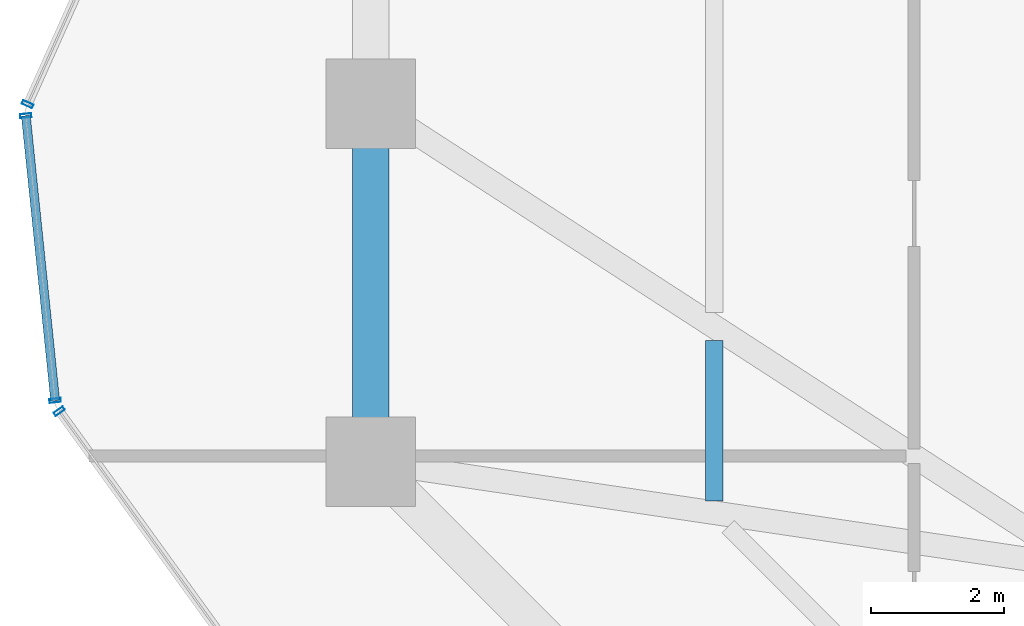
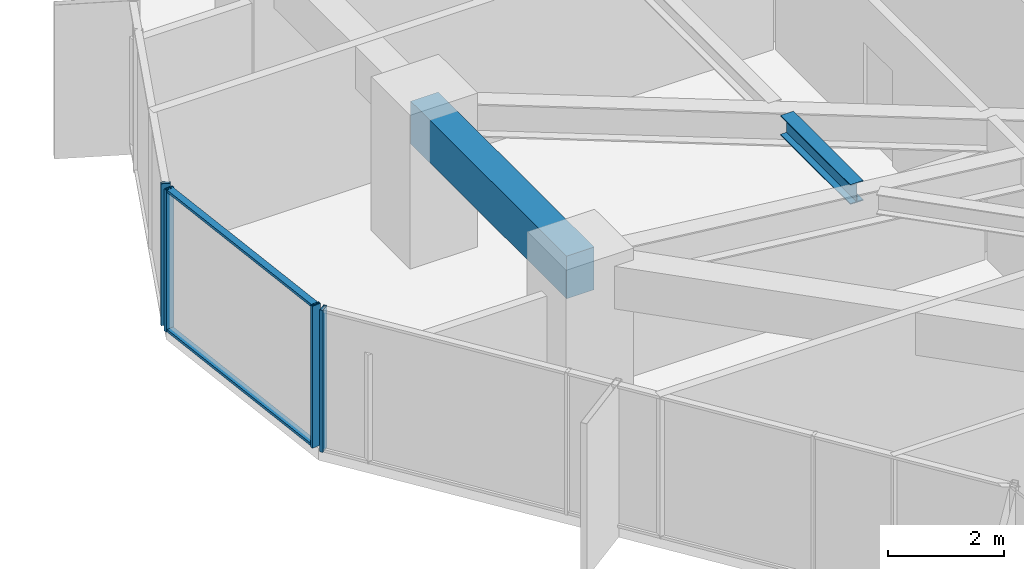
# One storey, part 10 of 37: 6 members, 2 beams, 3 elements without a shape of their own.
"""IFC4 building model written with IfcOpenShell, lengths in metres."""

from ifc_helpers import new_model, si_unit, direction, frame, origin, origin_2d, place, context, subcontext, project, spatial, rectangle, hollow_rectangle, i_section, extrude, source, transform, mapped, material, layer, layer_set, material_profile, profile_set, type_object, element, aggregate, save


model = new_model("IFC4")

# Units and contexts
model_context = context("Model", 3, precision=1e-05, world=origin(), true_north=direction((0.0, 1.0)))
body_context = subcontext(model_context, "Body", "Model", "MODEL_VIEW")
ifc_project = project(units=[si_unit("LENGTHUNIT", "METRE"), si_unit("AREAUNIT", "SQUARE_METRE"), si_unit("VOLUMEUNIT", "CUBIC_METRE"), si_unit("PLANEANGLEUNIT", "RADIAN"), si_unit("MASSUNIT", "GRAM", prefix="KILO")], contexts=[model_context])

# Site, building, storey
site_placement = place(None, origin())
site = spatial("IfcSite", under=ifc_project, at=site_placement, CompositionType="ELEMENT")
building_placement = place(site_placement, origin())
building = spatial("IfcBuilding", under=site, at=building_placement, Name="Veraguas Prism Commons", CompositionType="ELEMENT")
storey_placement = place(building_placement, frame((0.0, 0.0, 43.550048828125)))
storey = spatial("IfcBuildingStorey", under=building, at=storey_placement, Name="L11", CompositionType="ELEMENT", Elevation=43.550048828125)

# Beams
ifc_material_1 = material(Name="Steel ASTM A992 Grade 50", Category="steel")
ifc_material_profile_1 = material_profile(ifc_material_1, i_section(OverallWidth=0.260986328125, OverallDepth=0.419921875, WebThickness=0.01171875, FlangeThickness=0.019287109375, at=origin_2d()), Name="W410X114")
ifc_profile_set_1 = profile_set([ifc_material_profile_1], Name="Steel ASTM A992 Grade 50")
beam_type_1 = type_object("IfcBeamType", Name="Lower Floor Joist W410x114", PredefinedType="JOIST", material=ifc_profile_set_1)
beam_1_placement = place(storey_placement, frame((11.583984375, 20.430419921875, 2.7900390625), z_axis=(0.0, -1.0, 0.0), x_axis=(1.0, 0.0, 0.0)))
element("IfcBeam", 1, at=beam_1_placement, inside=storey, type_object=beam_type_1, Name="Composite Floor Joist L11-JS08", PredefinedType="JOIST", context=body_context, shape_type="SweptSolid", body=[
    extrude(i_section(OverallWidth=0.260986328125, OverallDepth=0.419921875, WebThickness=0.01171875, FlangeThickness=0.019287109375, at=origin_2d()), origin(), (0.0, 0.0, 1.0), 2.42041015625),
])
ifc_material_2 = material(Name="Concrete C50/60", Category="concrete")
ifc_material_profile_2 = material_profile(ifc_material_2, rectangle(XDim=0.550048828125, YDim=0.89990234375, at=origin_2d()), Name="RC550X900")
ifc_profile_set_2 = profile_set([ifc_material_profile_2], Name="Concrete C50/60")
beam_type_2 = type_object("IfcBeamType", Name="Perimeter Spandrel Lower RC 550x900", PredefinedType="SPANDREL", material=ifc_profile_set_2)
beam_2_placement = place(storey_placement, frame((6.39990234375, 24.0, 2.550048828125), z_axis=(0.0, -1.0, 0.0), x_axis=(1.0, 0.0, 0.0)))
element("IfcBeam", 2, at=beam_2_placement, inside=storey, type_object=beam_type_2, Name="Perimeter Spandrel Beam L11-SP08", PredefinedType="SPANDREL", context=body_context, shape_type="SweptSolid", body=[
    extrude(rectangle(XDim=0.550048828125, YDim=0.89990234375, at=origin_2d()), origin(), (0.0, 0.0, 1.0), 5.39990234375),
])

# Curtain wall, member
ifc_material_3 = material(Name="Anodised aluminium EN AW-6063 T6", Category="aluminium")
ifc_layer = layer(ifc_material_3, 0.169921875, Name="Unitised Flush Curtain Wall Zone 1", Category="aluminium")
ifc_layer_set = layer_set([ifc_layer], Name="Anodised aluminium EN AW-6063 T6")
curtain_wall_type = type_object("IfcCurtainWallType", Name="Unitised Flush Curtain Wall Zone 1", PredefinedType="NOTDEFINED", material=ifc_layer_set)
curtain_wall_1_placement = place(storey_placement, origin())
curtain_wall_1 = element("IfcCurtainWall", 3, at=curtain_wall_1_placement, inside=storey, type_object=curtain_wall_type, Name="Tower Facade Curtain Wall L11-F3", PredefinedType="NOTDEFINED")
ifc_material_profile_3 = material_profile(ifc_material_3, hollow_rectangle(XDim=0.06005859375, YDim=0.169921875, WallThickness=0.00390625, at=origin_2d()), Name="AL60X170X4")
ifc_profile_set_3 = profile_set([ifc_material_profile_3], Name="Anodised aluminium EN AW-6063 T6")
member_type_1 = type_object("IfcMemberType", Name="Curtain Wall Mullion Lower AL 60x170x4", PredefinedType="MULLION", material=ifc_profile_set_3)
shared_shape_1 = source(origin(), body_context, "Body", "SweptSolid", [
    extrude(hollow_rectangle(XDim=0.06005859375, YDim=0.169921875, WallThickness=0.00390625, at=origin_2d()), origin(), (0.0, 0.0, 1.0), 3.0),
])
member_1_placement = place(storey_placement, frame((1.224853515625, 23.994873046875, 0.0), z_axis=(0.0, 0.0, 1.0), x_axis=(-0.408649074736, -0.912691587404, 0.0)))
member_1 = element("IfcMember", 4, at=member_1_placement, type_object=member_type_1, Name="CW-Z1 Mullion 5", PredefinedType="MULLION", context=body_context, shape_type="MappedRepresentation", body=[
    mapped(shared_shape_1, transform((0.0, 0.0, 0.0), scale=1.0)),
])
aggregate(curtain_wall_1, [member_1])

curtain_wall_2_placement = place(storey_placement, origin())
curtain_wall_2 = element("IfcCurtainWall", 5, at=curtain_wall_2_placement, inside=storey, type_object=curtain_wall_type, Name="Tower Facade Curtain Wall L11-F4", PredefinedType="NOTDEFINED")
member_2_placement = place(storey_placement, frame((1.701904296875, 19.36328125, 0.0), z_axis=(0.0, 0.0, 1.0), x_axis=(0.586086734847, -0.81024831949, 0.0)))
member_2 = element("IfcMember", 6, at=member_2_placement, type_object=member_type_1, Name="CW-Z1 Mullion 1", PredefinedType="MULLION", context=body_context, shape_type="MappedRepresentation", body=[
    mapped(shared_shape_1, transform((0.0, 0.0, 0.0), scale=1.0)),
])
aggregate(curtain_wall_2, [member_2])

# Curtain wall, members
curtain_wall_3_placement = place(storey_placement, origin())
curtain_wall_3 = element("IfcCurtainWall", 7, at=curtain_wall_3_placement, inside=storey, type_object=curtain_wall_type, Name="Chamfer Curtain Wall L11-C4", PredefinedType="NOTDEFINED")
member_3_placement = place(storey_placement, frame((1.197265625, 23.822998046875, 0.0), z_axis=(0.0, 0.0, 1.0), x_axis=(0.102464411339, -0.994736670888, 0.0)))
member_3 = element("IfcMember", 8, at=member_3_placement, type_object=member_type_1, Name="CW-Z1 Mullion 1", PredefinedType="MULLION", context=body_context, shape_type="MappedRepresentation", body=[
    mapped(shared_shape_1, transform((0.0, 0.0, 0.0), scale=1.0)),
])
member_4_placement = place(storey_placement, frame((1.639892578125, 19.525634765625, 0.0), z_axis=(0.0, 0.0, 1.0), x_axis=(0.102464411339, -0.994736670888, 0.0)))
member_4 = element("IfcMember", 9, at=member_4_placement, type_object=member_type_1, Name="CW-Z1 Mullion 2", PredefinedType="MULLION", context=body_context, shape_type="MappedRepresentation", body=[
    mapped(shared_shape_1, transform((0.0, 0.0, 0.0), scale=1.0)),
])
ifc_material_profile_4 = material_profile(ifc_material_3, hollow_rectangle(XDim=0.054931640625, YDim=0.135009765625, WallThickness=0.0029296875, at=origin_2d()), Name="AL55X135X3")
ifc_profile_set_4 = profile_set([ifc_material_profile_4], Name="Anodised aluminium EN AW-6063 T6")
member_type_2 = type_object("IfcMemberType", Name="Curtain Wall Transom Standard AL 55x135x3", PredefinedType="USERDEFINED", material=ifc_profile_set_4)
shared_shape_2 = source(origin(), body_context, "Body", "SweptSolid", [
    extrude(hollow_rectangle(XDim=0.054931640625, YDim=0.135009765625, WallThickness=0.0029296875, at=origin_2d()), origin(), (0.0, 0.0, 1.0), 4.320068359375),
])
member_5_placement = place(storey_placement, frame((1.197265625, 23.822998046875, 0.02734375), z_axis=(0.102457610181, -0.994737371428, 0.0), x_axis=(0.0, 0.0, 1.0)))
member_5 = element("IfcMember", 10, at=member_5_placement, type_object=member_type_2, Name="CW-Z1 Transom 1", ObjectType="TRANSOM", PredefinedType="USERDEFINED", context=body_context, shape_type="MappedRepresentation", body=[
    mapped(shared_shape_2, transform((0.0, 0.0, 0.0), scale=1.0)),
])
member_6_placement = place(storey_placement, frame((1.197265625, 23.822998046875, 2.972412109375), z_axis=(0.102457610181, -0.994737371428, 0.0), x_axis=(0.0, 0.0, 1.0)))
member_6 = element("IfcMember", 11, at=member_6_placement, type_object=member_type_2, Name="CW-Z1 Transom 2", ObjectType="TRANSOM", PredefinedType="USERDEFINED", context=body_context, shape_type="MappedRepresentation", body=[
    mapped(shared_shape_2, transform((0.0, 0.0, 0.0), scale=1.0)),
])
aggregate(curtain_wall_3, [member_3, member_4, member_5, member_6])

save(model, "model.ifc")
